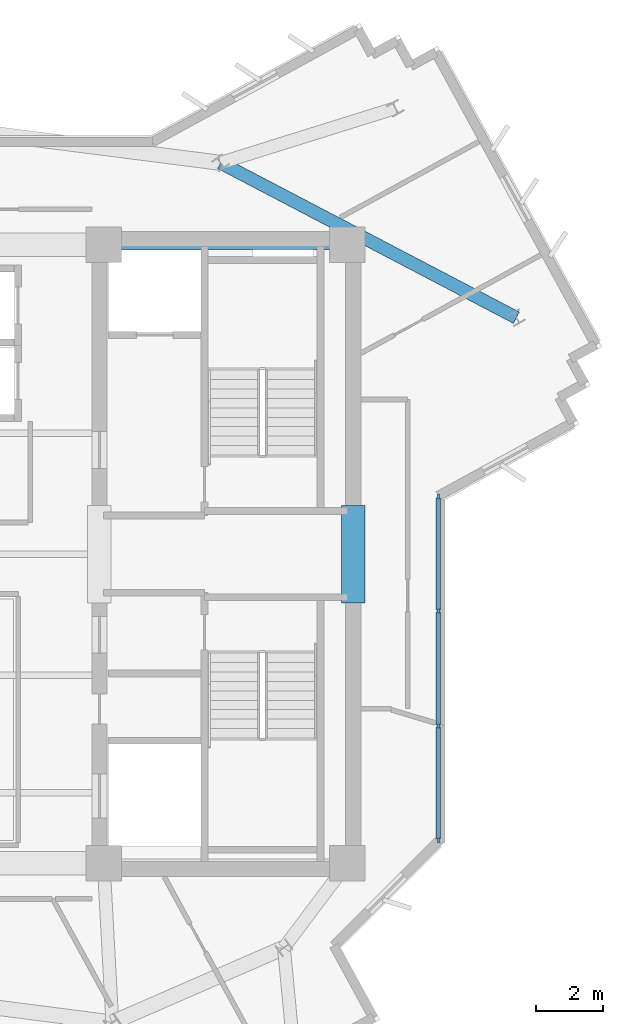
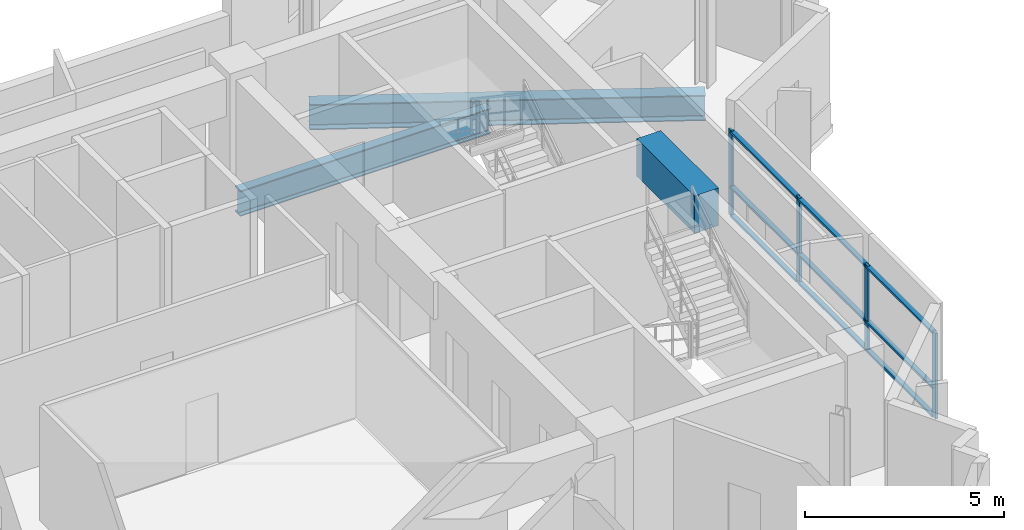
# One storey, part 3 of 13: 13 members, 3 beams, 1 element without a shape of its own.
"""IFC4 building model written with IfcOpenShell, lengths in metres."""

from ifc_helpers import new_model, si_unit, direction, frame, origin, origin_2d, place, context, subcontext, project, spatial, rectangle, i_section, extrude, source, transform, mapped, material, layer, layer_set, material_profile, profile_set, type_object, element, aggregate, save


model = new_model("IFC4")

# Units and contexts
model_context = context("Model", 3, precision=1e-05, world=origin(), true_north=direction((0.0, 1.0)))
body_context = subcontext(model_context, "Body", "Model", "MODEL_VIEW")
ifc_project = project(units=[si_unit("LENGTHUNIT", "METRE"), si_unit("AREAUNIT", "SQUARE_METRE"), si_unit("VOLUMEUNIT", "CUBIC_METRE"), si_unit("PLANEANGLEUNIT", "RADIAN"), si_unit("MASSUNIT", "GRAM", prefix="KILO")], contexts=[model_context])

# Site, building, storey
site_placement = place(None, origin())
site = spatial("IfcSite", under=ifc_project, at=site_placement, CompositionType="ELEMENT")
building_placement = place(site_placement, origin())
building = spatial("IfcBuilding", under=site, at=building_placement, Name="Zahravan Cultural Tower", CompositionType="ELEMENT")
storey_placement = place(building_placement, frame((0.0, 0.0, 257.85009765625)))
storey = spatial("IfcBuildingStorey", under=building, at=storey_placement, Name="L61", CompositionType="ELEMENT", Elevation=257.85009765625)

# Beams
ifc_material_1 = material(Name="Concrete C50/60", Category="concrete")
ifc_material_profile_1 = material_profile(ifc_material_1, rectangle(XDim=0.699951171875, YDim=1.14990234375, at=origin_2d()), Name="RC700X1150")
ifc_profile_set_1 = profile_set([ifc_material_profile_1], Name="Concrete C50/60")
beam_type_1 = type_object("IfcBeamType", Name="BM-LN-RC700X1150", PredefinedType="LINTEL", material=ifc_profile_set_1)
shared_shape_1 = source(origin(), body_context, "Body", "SweptSolid", [
    extrude(rectangle(XDim=0.699951171875, YDim=1.14990234375, at=origin_2d()), origin(), (0.0, 0.0, 1.0), 2.89990234375),
])
beam_1_placement = place(storey_placement, frame((50.52490234375, 25.550048828125, 2.9248046875), z_axis=(0.0, 1.0, 0.0), x_axis=(-1.0, 0.0, 0.0)))
element("IfcBeam", 1, at=beam_1_placement, inside=storey, type_object=beam_type_1, Name="L61 Beam LN-L61-PEE", PredefinedType="LINTEL", context=body_context, shape_type="MappedRepresentation", body=[
    mapped(shared_shape_1, transform((0.0, 0.0, 0.0), x_axis=(1.0, 0.0, 0.0), y_axis=(0.0, 1.0, 0.0), z_axis=(0.0, 0.0, 1.0), scale=1.0)),
])
ifc_material_2 = material(Name="Steel ASTM A992 Grade 50", Category="steel")
ifc_material_profile_2 = material_profile(ifc_material_2, i_section(OverallWidth=0.26611328125, OverallDepth=0.780029296875, WebThickness=0.0166015625, FlangeThickness=0.030029296875, FilletRadius=0.01904296875, at=origin_2d()), Name="W30X148")
ifc_profile_set_2 = profile_set([ifc_material_profile_2], Name="Steel ASTM A992 Grade 50")
beam_type_2 = type_object("IfcBeamType", Name="BM-G-W30X148", PredefinedType="BEAM", material=ifc_profile_set_2)
shared_shape_2 = source(origin(), body_context, "Body", "SweptSolid", [
    extrude(i_section(OverallWidth=0.26611328125, OverallDepth=0.780029296875, WebThickness=0.0166015625, FlangeThickness=0.030029296875, FilletRadius=0.01904296875, at=origin_2d()), origin(), (0.0, 0.0, 1.0), 7.25),
])
beam_2_placement = place(storey_placement, frame((43.10009765625, 36.199951171875, -0.64013671875), z_axis=(1.0, 0.0, 0.0), x_axis=(0.0, 1.0, 0.0)))
element("IfcBeam", 2, at=beam_2_placement, inside=storey, type_object=beam_type_2, Name="L61 Beam BG-L61-05", PredefinedType="BEAM", context=body_context, shape_type="MappedRepresentation", body=[
    mapped(shared_shape_2, transform((0.0, 0.0, 0.0), x_axis=(1.0, 0.0, 0.0), y_axis=(0.0, 1.0, 0.0), z_axis=(0.0, 0.0, 1.0), scale=1.0)),
])
ifc_material_profile_3 = material_profile(ifc_material_2, i_section(OverallWidth=0.382080078125, OverallDepth=0.779052734375, WebThickness=0.01806640625, FlangeThickness=0.030029296875, FilletRadius=0.01904296875, at=origin_2d()), Name="W30X191")
ifc_profile_set_3 = profile_set([ifc_material_profile_3], Name="Steel ASTM A992 Grade 50")
beam_type_3 = type_object("IfcBeamType", Name="BM-G-W30X191", PredefinedType="BEAM", material=ifc_profile_set_3)
shared_shape_3 = source(origin(), body_context, "Body", "SweptSolid", [
    extrude(i_section(OverallWidth=0.382080078125, OverallDepth=0.779052734375, WebThickness=0.01806640625, FlangeThickness=0.030029296875, FilletRadius=0.01904296875, at=origin_2d()), origin(), (0.0, 0.0, 1.0), 9.935791015625),
])
beam_3_placement = place(storey_placement, frame((46.577880859375, 38.640625, -0.6396484375), z_axis=(0.885932031042, -0.463815088558, 0.0), x_axis=(0.463815088558, 0.885932031042, 0.0)))
element("IfcBeam", 3, at=beam_3_placement, inside=storey, type_object=beam_type_3, Name="L61 Beam BG-L61-12", PredefinedType="BEAM", context=body_context, shape_type="MappedRepresentation", body=[
    mapped(shared_shape_3, transform((0.0, 0.0, 0.0), x_axis=(1.0, 0.0, 0.0), y_axis=(0.0, 1.0, 0.0), z_axis=(0.0, 0.0, 1.0), scale=1.0)),
])

# Curtain wall, members
ifc_material_3 = material(Name="Anodised bronze-aluminium mullion", Category="aluminium")
ifc_layer = layer(ifc_material_3, 0.1650390625)
ifc_layer_set = layer_set([ifc_layer], Name="Anodised bronze-aluminium mullion")
curtain_wall_type = type_object("IfcCurtainWallType", Name="CW-SYS-4", PredefinedType="USERDEFINED", material=ifc_layer_set)
curtain_wall_placement = place(storey_placement, origin())
curtain_wall = element("IfcCurtainWall", 4, at=curtain_wall_placement, inside=storey, type_object=curtain_wall_type, Name="L61 Recessed Curtain Wall CW-4.1", ObjectType="RECESSED GLAZING", PredefinedType="USERDEFINED")
ifc_material_profile_4 = material_profile(ifc_material_3, rectangle(XDim=0.06494140625, YDim=0.1650390625, at=origin_2d()), Name="AL-M65X165")
ifc_profile_set_4 = profile_set([ifc_material_profile_4], Name="Anodised bronze-aluminium mullion")
member_type_1 = type_object("IfcMemberType", Name="CWM-CW-4", PredefinedType="MULLION", material=ifc_profile_set_4)
shared_shape_4 = source(origin(), body_context, "Body", "SweptSolid", [
    extrude(rectangle(XDim=0.06494140625, YDim=0.1650390625, at=origin_2d()), origin(), (0.0, 0.0, 1.0), 2.619873046875),
])
member_1_placement = place(storey_placement, frame((53.06005859375, 28.698974609375, 0.0), z_axis=(0.0, 0.0, 1.0), x_axis=(1.0, 0.0, 0.0)))
member_1 = element("IfcMember", 5, at=member_1_placement, type_object=member_type_1, Name="CW-4 mullion 1", PredefinedType="MULLION", context=body_context, shape_type="MappedRepresentation", body=[
    mapped(shared_shape_4, transform((0.0, 0.0, 0.0), x_axis=(1.0, 0.0, 0.0), y_axis=(0.0, 1.0, 0.0), z_axis=(0.0, 0.0, 1.0), scale=1.0)),
])
member_2_placement = place(storey_placement, frame((53.06005859375, 25.306884765625, 0.0), z_axis=(0.0, 0.0, 1.0), x_axis=(1.0, 0.0, 0.0)))
member_2 = element("IfcMember", 6, at=member_2_placement, type_object=member_type_1, Name="CW-4 mullion 2", PredefinedType="MULLION", context=body_context, shape_type="MappedRepresentation", body=[
    mapped(shared_shape_4, transform((0.0, 0.0, 0.0), x_axis=(1.0, 0.0, 0.0), y_axis=(0.0, 1.0, 0.0), z_axis=(0.0, 0.0, 1.0), scale=1.0)),
])
member_3_placement = place(storey_placement, frame((53.06005859375, 21.882568359375, 0.0), z_axis=(0.0, 0.0, 1.0), x_axis=(1.0, 0.0, 0.0)))
member_3 = element("IfcMember", 7, at=member_3_placement, type_object=member_type_1, Name="CW-4 mullion 3", PredefinedType="MULLION", context=body_context, shape_type="MappedRepresentation", body=[
    mapped(shared_shape_4, transform((0.0, 0.0, 0.0), x_axis=(1.0, 0.0, 0.0), y_axis=(0.0, 1.0, 0.0), z_axis=(0.0, 0.0, 1.0), scale=1.0)),
])
member_4_placement = place(storey_placement, frame((53.06005859375, 18.490478515625, 0.0), z_axis=(0.0, 0.0, 1.0), x_axis=(1.0, 0.0, 0.0)))
member_4 = element("IfcMember", 8, at=member_4_placement, type_object=member_type_1, Name="CW-4 mullion 4", PredefinedType="MULLION", context=body_context, shape_type="MappedRepresentation", body=[
    mapped(shared_shape_4, transform((0.0, 0.0, 0.0), x_axis=(1.0, 0.0, 0.0), y_axis=(0.0, 1.0, 0.0), z_axis=(0.0, 0.0, 1.0), scale=1.0)),
])
ifc_material_profile_5 = material_profile(ifc_material_3, rectangle(XDim=0.1298828125, YDim=0.06494140625, at=origin_2d()), Name="AL-T65X130")
ifc_profile_set_5 = profile_set([ifc_material_profile_5], Name="Anodised bronze-aluminium mullion")
member_type_2 = type_object("IfcMemberType", Name="CWT-CW-4", PredefinedType="USERDEFINED", material=ifc_profile_set_5)
shared_shape_5 = source(origin(), body_context, "Body", "SweptSolid", [
    extrude(rectangle(XDim=0.1298828125, YDim=0.06494140625, at=origin_2d()), origin(), (0.0, 0.0, 1.0), 3.326904296875),
])
member_5_placement = place(storey_placement, frame((53.06005859375, 28.66650390625, 0.032470703125), z_axis=(0.0, -1.0, 0.0), x_axis=(1.0, 0.0, 0.0)))
member_5 = element("IfcMember", 9, at=member_5_placement, type_object=member_type_2, Name="CW-4 transom 1.1", ObjectType="TRANSOM", PredefinedType="USERDEFINED", context=body_context, shape_type="MappedRepresentation", body=[
    mapped(shared_shape_5, transform((0.0, 0.0, 0.0), x_axis=(1.0, 0.0, 0.0), y_axis=(0.0, 1.0, 0.0), z_axis=(0.0, 0.0, 1.0), scale=1.0)),
])
member_6_placement = place(storey_placement, frame((53.06005859375, 28.66650390625, 0.89990234375), z_axis=(0.0, -1.0, 0.0), x_axis=(1.0, 0.0, 0.0)))
member_6 = element("IfcMember", 10, at=member_6_placement, type_object=member_type_2, Name="CW-4 transom 1.2", ObjectType="TRANSOM", PredefinedType="USERDEFINED", context=body_context, shape_type="MappedRepresentation", body=[
    mapped(shared_shape_5, transform((0.0, 0.0, 0.0), x_axis=(1.0, 0.0, 0.0), y_axis=(0.0, 1.0, 0.0), z_axis=(0.0, 0.0, 1.0), scale=1.0)),
])
member_7_placement = place(storey_placement, frame((53.06005859375, 28.66650390625, 2.58740234375), z_axis=(0.0, -1.0, 0.0), x_axis=(1.0, 0.0, 0.0)))
member_7 = element("IfcMember", 11, at=member_7_placement, type_object=member_type_2, Name="CW-4 transom 1.3", ObjectType="TRANSOM", PredefinedType="USERDEFINED", context=body_context, shape_type="MappedRepresentation", body=[
    mapped(shared_shape_5, transform((0.0, 0.0, 0.0), x_axis=(1.0, 0.0, 0.0), y_axis=(0.0, 1.0, 0.0), z_axis=(0.0, 0.0, 1.0), scale=1.0)),
])
shared_shape_6 = source(origin(), body_context, "Body", "SweptSolid", [
    extrude(rectangle(XDim=0.1298828125, YDim=0.06494140625, at=origin_2d()), origin(), (0.0, 0.0, 1.0), 3.359375),
])
member_8_placement = place(storey_placement, frame((53.06005859375, 25.2744140625, 0.032470703125), z_axis=(0.0, -1.0, 0.0), x_axis=(1.0, 0.0, 0.0)))
member_8 = element("IfcMember", 12, at=member_8_placement, type_object=member_type_2, Name="CW-4 transom 2.1", ObjectType="TRANSOM", PredefinedType="USERDEFINED", context=body_context, shape_type="MappedRepresentation", body=[
    mapped(shared_shape_6, transform((0.0, 0.0, 0.0), x_axis=(1.0, 0.0, 0.0), y_axis=(0.0, 1.0, 0.0), z_axis=(0.0, 0.0, 1.0), scale=1.0)),
])
member_9_placement = place(storey_placement, frame((53.06005859375, 25.2744140625, 0.89990234375), z_axis=(0.0, -1.0, 0.0), x_axis=(1.0, 0.0, 0.0)))
member_9 = element("IfcMember", 13, at=member_9_placement, type_object=member_type_2, Name="CW-4 transom 2.2", ObjectType="TRANSOM", PredefinedType="USERDEFINED", context=body_context, shape_type="MappedRepresentation", body=[
    mapped(shared_shape_6, transform((0.0, 0.0, 0.0), x_axis=(1.0, 0.0, 0.0), y_axis=(0.0, 1.0, 0.0), z_axis=(0.0, 0.0, 1.0), scale=1.0)),
])
member_10_placement = place(storey_placement, frame((53.06005859375, 25.2744140625, 2.58740234375), z_axis=(0.0, -1.0, 0.0), x_axis=(1.0, 0.0, 0.0)))
member_10 = element("IfcMember", 14, at=member_10_placement, type_object=member_type_2, Name="CW-4 transom 2.3", ObjectType="TRANSOM", PredefinedType="USERDEFINED", context=body_context, shape_type="MappedRepresentation", body=[
    mapped(shared_shape_6, transform((0.0, 0.0, 0.0), x_axis=(1.0, 0.0, 0.0), y_axis=(0.0, 1.0, 0.0), z_axis=(0.0, 0.0, 1.0), scale=1.0)),
])
shared_shape_7 = source(origin(), body_context, "Body", "SweptSolid", [
    extrude(rectangle(XDim=0.1298828125, YDim=0.06494140625, at=origin_2d()), origin(), (0.0, 0.0, 1.0), 3.3271484375),
])
member_11_placement = place(storey_placement, frame((53.06005859375, 21.85009765625, 0.032470703125), z_axis=(0.0, -1.0, 0.0), x_axis=(1.0, 0.0, 0.0)))
member_11 = element("IfcMember", 15, at=member_11_placement, type_object=member_type_2, Name="CW-4 transom 3.1", ObjectType="TRANSOM", PredefinedType="USERDEFINED", context=body_context, shape_type="MappedRepresentation", body=[
    mapped(shared_shape_7, transform((0.0, 0.0, 0.0), x_axis=(1.0, 0.0, 0.0), y_axis=(0.0, 1.0, 0.0), z_axis=(0.0, 0.0, 1.0), scale=1.0)),
])
member_12_placement = place(storey_placement, frame((53.06005859375, 21.85009765625, 0.89990234375), z_axis=(0.0, -1.0, 0.0), x_axis=(1.0, 0.0, 0.0)))
member_12 = element("IfcMember", 16, at=member_12_placement, type_object=member_type_2, Name="CW-4 transom 3.2", ObjectType="TRANSOM", PredefinedType="USERDEFINED", context=body_context, shape_type="MappedRepresentation", body=[
    mapped(shared_shape_7, transform((0.0, 0.0, 0.0), x_axis=(1.0, 0.0, 0.0), y_axis=(0.0, 1.0, 0.0), z_axis=(0.0, 0.0, 1.0), scale=1.0)),
])
member_13_placement = place(storey_placement, frame((53.06005859375, 21.85009765625, 2.58740234375), z_axis=(0.0, -1.0, 0.0), x_axis=(1.0, 0.0, 0.0)))
member_13 = element("IfcMember", 17, at=member_13_placement, type_object=member_type_2, Name="CW-4 transom 3.3", ObjectType="TRANSOM", PredefinedType="USERDEFINED", context=body_context, shape_type="MappedRepresentation", body=[
    mapped(shared_shape_7, transform((0.0, 0.0, 0.0), x_axis=(1.0, 0.0, 0.0), y_axis=(0.0, 1.0, 0.0), z_axis=(0.0, 0.0, 1.0), scale=1.0)),
])
aggregate(curtain_wall, [member_1, member_2, member_3, member_4, member_5, member_6, member_7, member_8, member_9, member_10, member_11, member_12, member_13])

save(model, "model.ifc")
